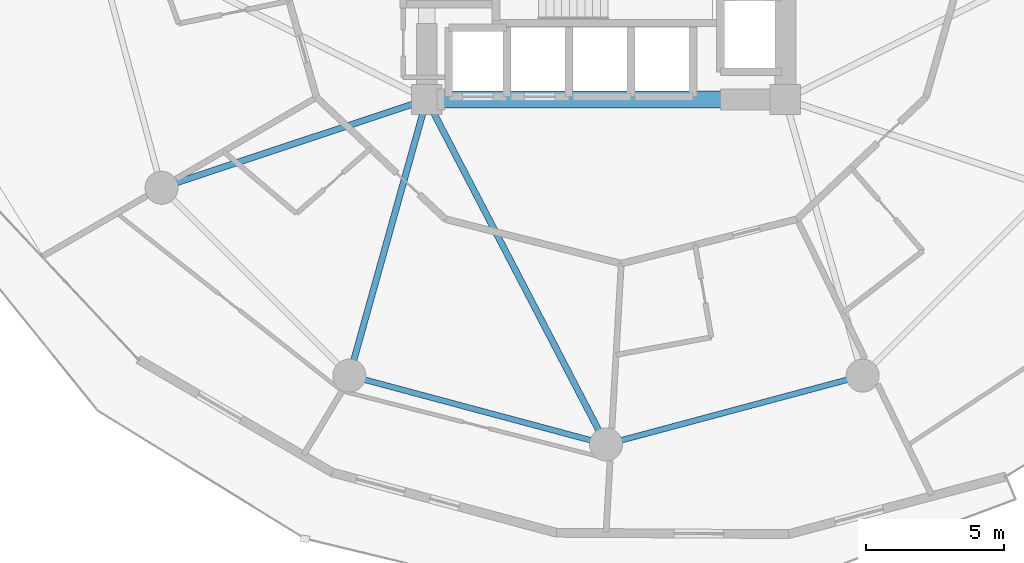
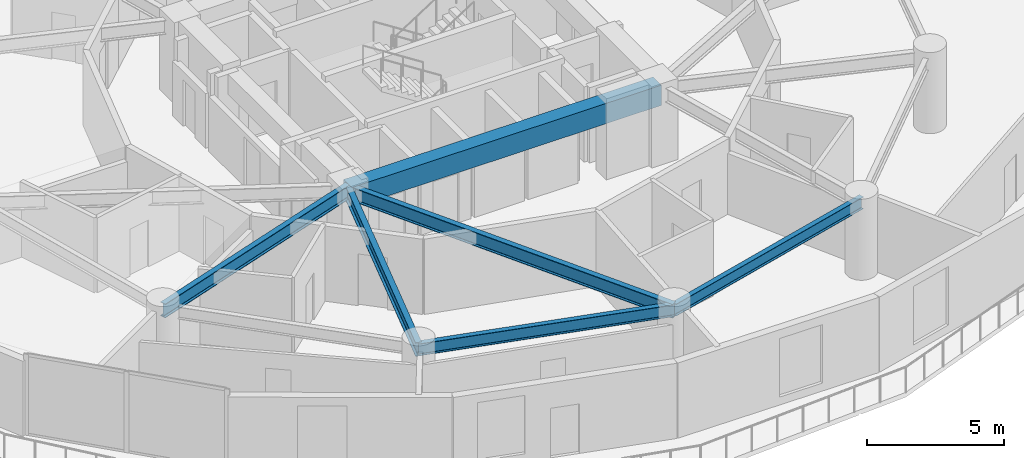
# One storey, part 3 of 23: 6 beams.
"""IFC4 building model written with IfcOpenShell, lengths in metres."""

from ifc_helpers import new_model, si_unit, direction, frame, origin, origin_2d, place, context, subcontext, project, spatial, rectangle, i_section, extrude, material, material_profile, profile_set, type_object, element, save


model = new_model("IFC4")

# Units and contexts
model_context = context("Model", 3, precision=1e-05, world=origin(), true_north=direction((0.0, 1.0)))
body_context = subcontext(model_context, "Body", "Model", "MODEL_VIEW")
ifc_project = project(units=[si_unit("LENGTHUNIT", "METRE"), si_unit("AREAUNIT", "SQUARE_METRE"), si_unit("VOLUMEUNIT", "CUBIC_METRE"), si_unit("PLANEANGLEUNIT", "RADIAN"), si_unit("MASSUNIT", "GRAM", prefix="KILO")], contexts=[model_context])

# Site, building, storey
site_placement = place(None, origin())
site = spatial("IfcSite", under=ifc_project, at=site_placement, CompositionType="ELEMENT")
building_placement = place(site_placement, origin())
building = spatial("IfcBuilding", under=site, at=building_placement, Name="Solvirekh Grand Hotel", CompositionType="ELEMENT")
storey_placement = place(building_placement, frame((0.0, 0.0, 39.199951171875)))
storey = spatial("IfcBuildingStorey", under=building, at=storey_placement, Name="L08", CompositionType="ELEMENT", Elevation=39.199951171875)

# Beams
ifc_material_1 = material(Name="Concrete C50/60", Category="concrete")
ifc_material_profile_1 = material_profile(ifc_material_1, rectangle(XDim=0.60009765625, YDim=0.89990234375, at=origin_2d()), Name="RC BEAM 600X900")
ifc_profile_set_1 = profile_set([ifc_material_profile_1], Name="Concrete C50/60")
beam_type_1 = type_object("IfcBeamType", Name="Beam_Core_RC900", PredefinedType="BEAM", material=ifc_profile_set_1)
beam_1_placement = place(storey_placement, frame((-6.5, -6.10009765625, 2.89013671875), z_axis=(1.0, 0.0, 0.0), x_axis=(0.0, 1.0, 0.0)))
element("IfcBeam", 1, at=beam_1_placement, inside=storey, type_object=beam_type_1, Name="L08 core coupling ring beam 1", PredefinedType="BEAM", context=body_context, shape_type="SweptSolid", body=[
    extrude(rectangle(XDim=0.60009765625, YDim=0.89990234375, at=origin_2d()), origin(), (0.0, 0.0, 1.0), 13.0),
])
ifc_material_2 = material(Name="Steel S355", Category="steel")
ifc_material_profile_2 = material_profile(ifc_material_2, i_section(OverallWidth=0.22998046875, OverallDepth=0.615966796875, WebThickness=0.013916015625, FlangeThickness=0.02392578125, FilletRadius=0.014892578125, at=origin_2d()), Name="W610X174")
ifc_profile_set_2 = profile_set([ifc_material_profile_2], Name="Steel S355")
beam_type_2 = type_object("IfcBeamType", Name="Beam_Primary_W610H", PredefinedType="BEAM", material=ifc_profile_set_2)
beam_2_placement = place(storey_placement, frame((-6.5, -6.10009765625, 3.031982421875), z_axis=(-0.948762825819, -0.315989082635, 0.0), x_axis=(0.315989082635, -0.948762825819, 0.0)))
element("IfcBeam", 2, at=beam_2_placement, inside=storey, type_object=beam_type_2, Name="L08 radial floor beam R08", PredefinedType="BEAM", context=body_context, shape_type="SweptSolid", body=[
    extrude(i_section(OverallWidth=0.22998046875, OverallDepth=0.615966796875, WebThickness=0.013916015625, FlangeThickness=0.02392578125, FilletRadius=0.014892578125, at=origin_2d()), origin(), (0.0, 0.0, 1.0), 10.126708984375),
])
beam_3_placement = place(storey_placement, frame((-6.5, -6.10009765625, 3.031982421875), z_axis=(-0.269439084681, -0.963017434757, 0.0), x_axis=(0.963017434757, -0.269439084681, 0.0)))
element("IfcBeam", 3, at=beam_3_placement, inside=storey, type_object=beam_type_2, Name="L08 radial floor beam R09", PredefinedType="BEAM", context=body_context, shape_type="SweptSolid", body=[
    extrude(i_section(OverallWidth=0.22998046875, OverallDepth=0.615966796875, WebThickness=0.013916015625, FlangeThickness=0.02392578125, FilletRadius=0.014892578125, at=origin_2d()), origin(), (0.0, 0.0, 1.0), 10.39208984375),
])
beam_4_placement = place(storey_placement, frame((-6.5, -6.10009765625, 3.031982421875), z_axis=(0.461352736642, -0.887216801235, 0.0), x_axis=(0.887216801235, 0.461352736642, 0.0)))
element("IfcBeam", 4, at=beam_4_placement, inside=storey, type_object=beam_type_2, Name="L08 radial floor beam R10", PredefinedType="BEAM", context=body_context, shape_type="SweptSolid", body=[
    extrude(i_section(OverallWidth=0.22998046875, OverallDepth=0.615966796875, WebThickness=0.013916015625, FlangeThickness=0.02392578125, FilletRadius=0.014892578125, at=origin_2d()), origin(), (0.0, 0.0, 1.0), 14.089111328125),
])
ifc_material_profile_3 = material_profile(ifc_material_2, i_section(OverallWidth=0.208984375, OverallDepth=0.532958984375, WebThickness=0.010009765625, FlangeThickness=0.014892578125, FilletRadius=0.013916015625, at=origin_2d()), Name="W530X92")
ifc_profile_set_3 = profile_set([ifc_material_profile_3], Name="Steel S355")
beam_type_3 = type_object("IfcBeamType", Name="Spandrel_Ring_W530", PredefinedType="SPANDREL", material=ifc_profile_set_3)
for number, where, z_axis, x_axis, name in (
    (5, (-9.300048828125, -16.10791015625, 3.072998046875), (0.965919414426, -0.258842973314, 0.0), (0.258842973314, 0.965919414426, 0.0), "L08 perimeter spandrel beam 9"),
    (6, (0.0, -18.60009765625, 3.072998046875), (0.965919414426, 0.258842973314, 0.0), (-0.258842973314, 0.965919414426, 0.0), "L08 perimeter spandrel beam 10"),
):
    element("IfcBeam", number, at=place(storey_placement, frame(where, z_axis=z_axis, x_axis=x_axis)), inside=storey, type_object=beam_type_3, Name=name, PredefinedType="SPANDREL", context=body_context, shape_type="SweptSolid", body=[
        extrude(i_section(OverallWidth=0.208984375, OverallDepth=0.532958984375, WebThickness=0.010009765625, FlangeThickness=0.014892578125, FilletRadius=0.013916015625, at=origin_2d()), origin(), (0.0, 0.0, 1.0), 9.628173828125),
    ])

save(model, "model.ifc")
